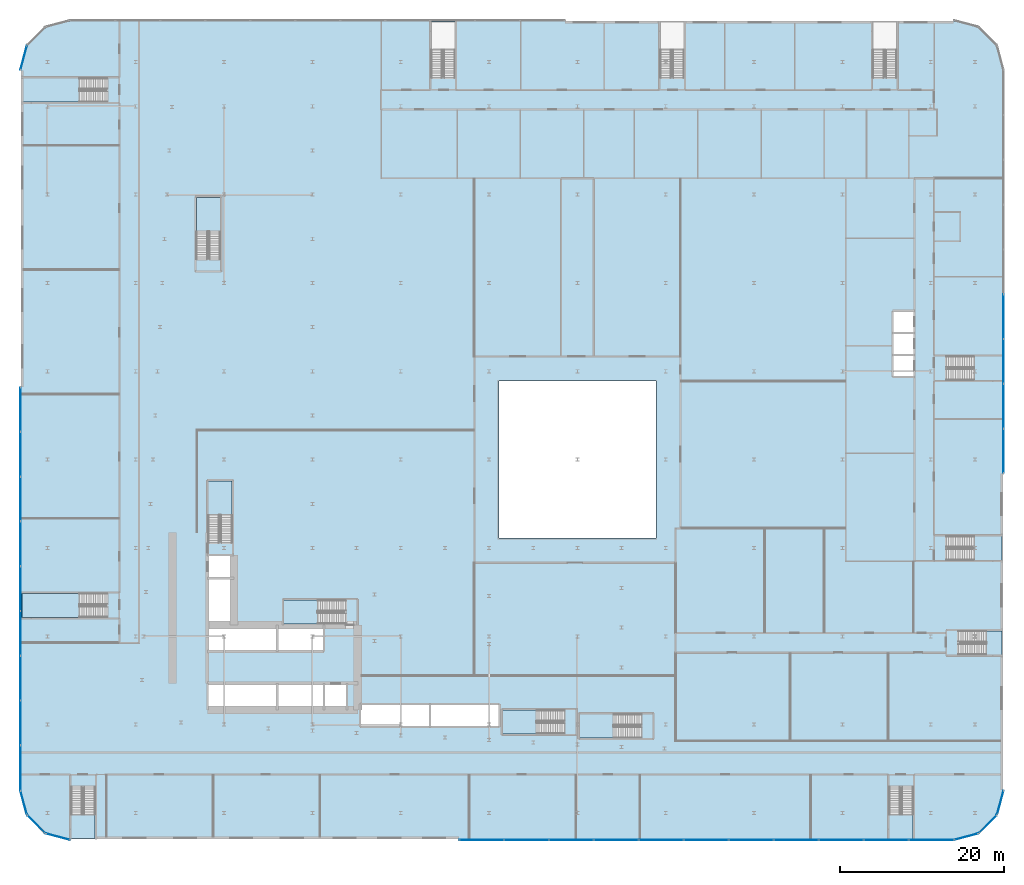
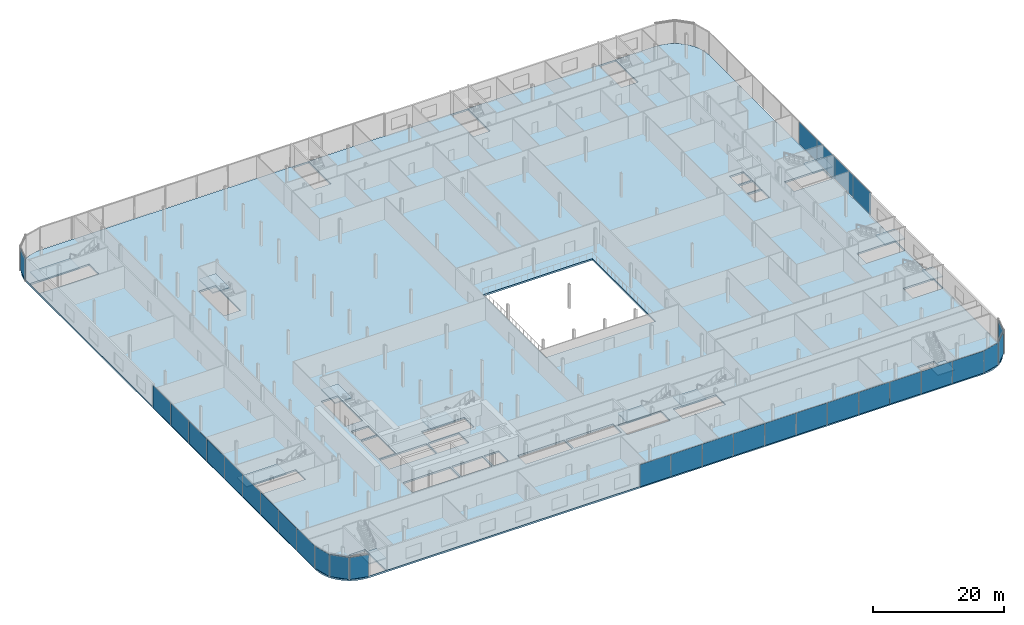
# One storey, part 24 of 47: 31 plates, 13 slabs, 22 elements without a shape of their own.
"""IFC4 building model written with IfcOpenShell, lengths in metres."""

from ifc_helpers import new_model, si_unit, direction, frame, origin, origin_2d, place, context, subcontext, project, spatial, polyline, rectangle, outline, extrude, material, layer, layer_set, type_object, element, aggregate, save


model = new_model("IFC4")

# Units and contexts
model_context = context("Model", 3, precision=1e-05, world=origin(), true_north=direction((0.0, 1.0)))
body_context = subcontext(model_context, "Body", "Model", "MODEL_VIEW")
ifc_project = project(units=[si_unit("LENGTHUNIT", "METRE"), si_unit("AREAUNIT", "SQUARE_METRE"), si_unit("VOLUMEUNIT", "CUBIC_METRE"), si_unit("PLANEANGLEUNIT", "RADIAN"), si_unit("MASSUNIT", "GRAM", prefix="KILO")], contexts=[model_context])

# Site, building, storey
site_placement = place(None, origin())
site = spatial("IfcSite", under=ifc_project, at=site_placement, CompositionType="ELEMENT")
building_placement = place(site_placement, origin())
building = spatial("IfcBuilding", under=site, at=building_placement, Name="Kheshtan School and Residences Tower", CompositionType="ELEMENT")
storey_placement = place(building_placement, frame((0.0, 0.0, 17.0)))
storey = spatial("IfcBuildingStorey", under=building, at=storey_placement, Name="L03", CompositionType="ELEMENT", Elevation=17.0)

# Curtain wall, plate
ifc_material_1 = material(Name="Clear low-e glass in thermally broken aluminium frame", Category="aluminium")
ifc_layer_1 = layer(ifc_material_1, 0.22509765625)
ifc_layer_set_1 = layer_set([ifc_layer_1], Name="Curtain wall CW-P")
curtain_wall_type = type_object("IfcCurtainWallType", Name="Curtain wall CW-P", PredefinedType="NOTDEFINED", material=ifc_layer_set_1)
curtain_wall_1_placement = place(storey_placement, origin())
curtain_wall_1 = element("IfcCurtainWall", 1, at=curtain_wall_1_placement, inside=storey, type_object=curtain_wall_type, Name="Curtain wall CWP1a", PredefinedType="NOTDEFINED")
ifc_layer_2 = layer(ifc_material_1, 0.035888671875)
ifc_layer_set_2 = layer_set([ifc_layer_2], Name="CW-P glass panel")
plate_type = type_object("IfcPlateType", Name="CW-P glass panel", PredefinedType="CURTAIN_PANEL", material=ifc_layer_set_2)
plate_1_placement = place(storey_placement, frame((12.305419921875, 105.52587890625, 0.0), z_axis=(0.0, 0.0, 1.0), x_axis=(0.258864833085, 0.965913556273, 0.0)))
plate_1 = element("IfcPlate", 2, at=plate_1_placement, type_object=plate_type, Name="CWP1a panel 1.1", PredefinedType="CURTAIN_PANEL", context=body_context, shape_type="SweptSolid", body=[
    extrude(rectangle(XDim=2.98583984375, YDim=0.035888671875, at=origin_2d()), origin(), (0.0, 0.0, 1.0), 4.110107421875),
])
aggregate(curtain_wall_1, [plate_1])

# Curtain wall, plates
curtain_wall_2_placement = place(storey_placement, origin())
curtain_wall_2 = element("IfcCurtainWall", 3, at=curtain_wall_2_placement, inside=storey, type_object=curtain_wall_type, Name="Curtain wall CWP8a", PredefinedType="NOTDEFINED")
plate_2_placement = place(storey_placement, frame((132.10009765625, 73.884521484375, 0.0), z_axis=(0.0, 0.0, 1.0), x_axis=(0.0, -1.0, 0.0)))
plate_2 = element("IfcPlate", 4, at=plate_2_placement, type_object=plate_type, Name="CWP8a panel 6.1", PredefinedType="CURTAIN_PANEL", context=body_context, shape_type="SweptSolid", body=[
    extrude(rectangle(XDim=5.41552734375, YDim=0.035888671875, at=origin_2d()), origin(), (0.0, 0.0, 1.0), 4.110107421875),
])
plate_3_placement = place(storey_placement, frame((132.10009765625, 68.408935546875, 0.0), z_axis=(0.0, 0.0, 1.0), x_axis=(0.0, -1.0, 0.0)))
plate_3 = element("IfcPlate", 5, at=plate_3_placement, type_object=plate_type, Name="CWP8a panel 7.1", PredefinedType="CURTAIN_PANEL", context=body_context, shape_type="SweptSolid", body=[
    extrude(rectangle(XDim=5.41552734375, YDim=0.035888671875, at=origin_2d()), origin(), (0.0, 0.0, 1.0), 4.110107421875),
])
plate_4_placement = place(storey_placement, frame((132.10009765625, 62.933349609375, 0.0), z_axis=(0.0, 0.0, 1.0), x_axis=(0.0, -1.0, 0.0)))
plate_4 = element("IfcPlate", 6, at=plate_4_placement, type_object=plate_type, Name="CWP8a panel 8.1", PredefinedType="CURTAIN_PANEL", context=body_context, shape_type="SweptSolid", body=[
    extrude(rectangle(XDim=5.41552734375, YDim=0.035888671875, at=origin_2d()), origin(), (0.0, 0.0, 1.0), 4.110107421875),
])
plate_5_placement = place(storey_placement, frame((132.10009765625, 57.47265625, 0.0), z_axis=(0.0, 0.0, 1.0), x_axis=(0.0, -1.0, 0.0)))
plate_5 = element("IfcPlate", 7, at=plate_5_placement, type_object=plate_type, Name="CWP8a panel 9.1", PredefinedType="CURTAIN_PANEL", context=body_context, shape_type="SweptSolid", body=[
    extrude(rectangle(XDim=5.385498046875, YDim=0.035888671875, at=origin_2d()), origin(), (0.0, 0.0, 1.0), 4.110107421875),
])
aggregate(curtain_wall_2, [plate_2, plate_3, plate_4, plate_5])

# Curtain wall, plate
curtain_wall_3_placement = place(storey_placement, origin())
curtain_wall_3 = element("IfcCurtainWall", 8, at=curtain_wall_3_placement, inside=storey, type_object=curtain_wall_type, Name="Curtain wall CWP9a", PredefinedType="NOTDEFINED")
plate_6_placement = place(storey_placement, frame((131.694580078125, 14.47412109375, 0.0), z_axis=(0.0, 0.0, 1.0), x_axis=(-0.258864833085, -0.965913556273, 0.0)))
plate_6 = element("IfcPlate", 9, at=plate_6_placement, type_object=plate_type, Name="CWP9a panel 1.1", PredefinedType="CURTAIN_PANEL", context=body_context, shape_type="SweptSolid", body=[
    extrude(rectangle(XDim=2.98583984375, YDim=0.035888671875, at=origin_2d()), origin(), (0.0, 0.0, 1.0), 4.110107421875),
])
aggregate(curtain_wall_3, [plate_6])

curtain_wall_4_placement = place(storey_placement, origin())
curtain_wall_4 = element("IfcCurtainWall", 10, at=curtain_wall_4_placement, inside=storey, type_object=curtain_wall_type, Name="Curtain wall CWP10a", PredefinedType="NOTDEFINED")
plate_7_placement = place(storey_placement, frame((130.168701171875, 11.831298828125, 0.0), z_axis=(0.0, 0.0, 1.0), x_axis=(-0.707106781187, -0.707106781187, 0.0)))
plate_7 = element("IfcPlate", 11, at=plate_7_placement, type_object=plate_type, Name="CWP10a panel 1.1", PredefinedType="CURTAIN_PANEL", context=body_context, shape_type="SweptSolid", body=[
    extrude(rectangle(XDim=2.985595703125, YDim=0.035888671875, at=origin_2d()), origin(), (0.0, 0.0, 1.0), 4.110107421875),
])
aggregate(curtain_wall_4, [plate_7])

curtain_wall_5_placement = place(storey_placement, origin())
curtain_wall_5 = element("IfcCurtainWall", 12, at=curtain_wall_5_placement, inside=storey, type_object=curtain_wall_type, Name="Curtain wall CWP11a", PredefinedType="NOTDEFINED")
plate_8_placement = place(storey_placement, frame((127.52587890625, 10.305419921875, 0.0), z_axis=(0.0, 0.0, 1.0), x_axis=(-0.965913556273, -0.258864833085, 0.0)))
plate_8 = element("IfcPlate", 13, at=plate_8_placement, type_object=plate_type, Name="CWP11a panel 1.1", PredefinedType="CURTAIN_PANEL", context=body_context, shape_type="SweptSolid", body=[
    extrude(rectangle(XDim=2.98583984375, YDim=0.035888671875, at=origin_2d()), origin(), (0.0, 0.0, 1.0), 4.110107421875),
])
aggregate(curtain_wall_5, [plate_8])

# Curtain wall, plates
curtain_wall_6_placement = place(storey_placement, origin())
curtain_wall_6 = element("IfcCurtainWall", 14, at=curtain_wall_6_placement, inside=storey, type_object=curtain_wall_type, Name="Curtain wall CWP12a", PredefinedType="NOTDEFINED")
plate_9_placement = place(storey_placement, frame((123.2783203125, 9.89990234375, 0.0), z_axis=(0.0, 0.0, 1.0), x_axis=(-1.0, 0.0, 0.0)))
plate_9 = element("IfcPlate", 15, at=plate_9_placement, type_object=plate_type, Name="CWP12a panel 1.1", PredefinedType="CURTAIN_PANEL", context=body_context, shape_type="SweptSolid", body=[
    extrude(rectangle(XDim=5.4931640625, YDim=0.035888671875, at=origin_2d()), origin(), (0.0, 0.0, 1.0), 4.110107421875),
])
plate_10_placement = place(storey_placement, frame((117.752685546875, 9.89990234375, 0.0), z_axis=(0.0, 0.0, 1.0), x_axis=(-1.0, 0.0, 0.0)))
plate_10 = element("IfcPlate", 16, at=plate_10_placement, type_object=plate_type, Name="CWP12a panel 2.1", PredefinedType="CURTAIN_PANEL", context=body_context, shape_type="SweptSolid", body=[
    extrude(rectangle(XDim=5.438232421875, YDim=0.035888671875, at=origin_2d()), origin(), (0.0, 0.0, 1.0), 4.110107421875),
])
plate_11_placement = place(storey_placement, frame((112.254638671875, 9.89990234375, 0.0), z_axis=(0.0, 0.0, 1.0), x_axis=(-1.0, 0.0, 0.0)))
plate_11 = element("IfcPlate", 17, at=plate_11_placement, type_object=plate_type, Name="CWP12a panel 3.1", PredefinedType="CURTAIN_PANEL", context=body_context, shape_type="SweptSolid", body=[
    extrude(rectangle(XDim=5.438232421875, YDim=0.035888671875, at=origin_2d()), origin(), (0.0, 0.0, 1.0), 4.110107421875),
])
plate_12_placement = place(storey_placement, frame((106.75634765625, 9.89990234375, 0.0), z_axis=(0.0, 0.0, 1.0), x_axis=(-1.0, 0.0, 0.0)))
plate_12 = element("IfcPlate", 18, at=plate_12_placement, type_object=plate_type, Name="CWP12a panel 4.1", PredefinedType="CURTAIN_PANEL", context=body_context, shape_type="SweptSolid", body=[
    extrude(rectangle(XDim=5.438232421875, YDim=0.035888671875, at=origin_2d()), origin(), (0.0, 0.0, 1.0), 4.110107421875),
])
plate_13_placement = place(storey_placement, frame((101.25830078125, 9.89990234375, 0.0), z_axis=(0.0, 0.0, 1.0), x_axis=(-1.0, 0.0, 0.0)))
plate_13 = element("IfcPlate", 19, at=plate_13_placement, type_object=plate_type, Name="CWP12a panel 5.1", PredefinedType="CURTAIN_PANEL", context=body_context, shape_type="SweptSolid", body=[
    extrude(rectangle(XDim=5.438232421875, YDim=0.035888671875, at=origin_2d()), origin(), (0.0, 0.0, 1.0), 4.110107421875),
])
plate_14_placement = place(storey_placement, frame((95.760009765625, 9.89990234375, 0.0), z_axis=(0.0, 0.0, 1.0), x_axis=(-1.0, 0.0, 0.0)))
plate_14 = element("IfcPlate", 20, at=plate_14_placement, type_object=plate_type, Name="CWP12a panel 6.1", PredefinedType="CURTAIN_PANEL", context=body_context, shape_type="SweptSolid", body=[
    extrude(rectangle(XDim=5.438232421875, YDim=0.035888671875, at=origin_2d()), origin(), (0.0, 0.0, 1.0), 4.110107421875),
])
plate_15_placement = place(storey_placement, frame((90.26171875, 9.89990234375, 0.0), z_axis=(0.0, 0.0, 1.0), x_axis=(-1.0, 0.0, 0.0)))
plate_15 = element("IfcPlate", 21, at=plate_15_placement, type_object=plate_type, Name="CWP12a panel 7.1", PredefinedType="CURTAIN_PANEL", context=body_context, shape_type="SweptSolid", body=[
    extrude(rectangle(XDim=5.438232421875, YDim=0.035888671875, at=origin_2d()), origin(), (0.0, 0.0, 1.0), 4.110107421875),
])
plate_16_placement = place(storey_placement, frame((84.763671875, 9.89990234375, 0.0), z_axis=(0.0, 0.0, 1.0), x_axis=(-1.0, 0.0, 0.0)))
plate_16 = element("IfcPlate", 22, at=plate_16_placement, type_object=plate_type, Name="CWP12a panel 8.1", PredefinedType="CURTAIN_PANEL", context=body_context, shape_type="SweptSolid", body=[
    extrude(rectangle(XDim=5.438232421875, YDim=0.035888671875, at=origin_2d()), origin(), (0.0, 0.0, 1.0), 4.110107421875),
])
plate_17_placement = place(storey_placement, frame((79.265380859375, 9.89990234375, 0.0), z_axis=(0.0, 0.0, 1.0), x_axis=(-1.0, 0.0, 0.0)))
plate_17 = element("IfcPlate", 23, at=plate_17_placement, type_object=plate_type, Name="CWP12a panel 9.1", PredefinedType="CURTAIN_PANEL", context=body_context, shape_type="SweptSolid", body=[
    extrude(rectangle(XDim=5.438232421875, YDim=0.035888671875, at=origin_2d()), origin(), (0.0, 0.0, 1.0), 4.110107421875),
])
plate_18_placement = place(storey_placement, frame((73.767333984375, 9.89990234375, 0.0), z_axis=(0.0, 0.0, 1.0), x_axis=(-1.0, 0.0, 0.0)))
plate_18 = element("IfcPlate", 24, at=plate_18_placement, type_object=plate_type, Name="CWP12a panel 10.1", PredefinedType="CURTAIN_PANEL", context=body_context, shape_type="SweptSolid", body=[
    extrude(rectangle(XDim=5.438232421875, YDim=0.035888671875, at=origin_2d()), origin(), (0.0, 0.0, 1.0), 4.110107421875),
])
plate_19_placement = place(storey_placement, frame((68.2841796875, 9.89990234375, 0.0), z_axis=(0.0, 0.0, 1.0), x_axis=(-1.0, 0.0, 0.0)))
plate_19 = element("IfcPlate", 25, at=plate_19_placement, type_object=plate_type, Name="CWP12a panel 11.1", PredefinedType="CURTAIN_PANEL", context=body_context, shape_type="SweptSolid", body=[
    extrude(rectangle(XDim=5.408203125, YDim=0.035888671875, at=origin_2d()), origin(), (0.0, 0.0, 1.0), 4.110107421875),
])
aggregate(curtain_wall_6, [plate_9, plate_10, plate_11, plate_12, plate_13, plate_14, plate_15, plate_16, plate_17, plate_18, plate_19])

# Curtain wall, plate
curtain_wall_7_placement = place(storey_placement, origin())
curtain_wall_7 = element("IfcCurtainWall", 26, at=curtain_wall_7_placement, inside=storey, type_object=curtain_wall_type, Name="Curtain wall CWP13a", PredefinedType="NOTDEFINED")
plate_20_placement = place(storey_placement, frame((16.47412109375, 10.305419921875, 0.0), z_axis=(0.0, 0.0, 1.0), x_axis=(-0.965913556273, 0.258864833085, 0.0)))
plate_20 = element("IfcPlate", 27, at=plate_20_placement, type_object=plate_type, Name="CWP13a panel 1.1", PredefinedType="CURTAIN_PANEL", context=body_context, shape_type="SweptSolid", body=[
    extrude(rectangle(XDim=2.98583984375, YDim=0.035888671875, at=origin_2d()), origin(), (0.0, 0.0, 1.0), 4.110107421875),
])
aggregate(curtain_wall_7, [plate_20])

curtain_wall_8_placement = place(storey_placement, origin())
curtain_wall_8 = element("IfcCurtainWall", 28, at=curtain_wall_8_placement, inside=storey, type_object=curtain_wall_type, Name="Curtain wall CWP14a", PredefinedType="NOTDEFINED")
plate_21_placement = place(storey_placement, frame((13.831298828125, 11.831298828125, 0.0), z_axis=(0.0, 0.0, 1.0), x_axis=(-0.707106781187, 0.707106781187, 0.0)))
plate_21 = element("IfcPlate", 29, at=plate_21_placement, type_object=plate_type, Name="CWP14a panel 1.1", PredefinedType="CURTAIN_PANEL", context=body_context, shape_type="SweptSolid", body=[
    extrude(rectangle(XDim=2.985595703125, YDim=0.035888671875, at=origin_2d()), origin(), (0.0, 0.0, 1.0), 4.110107421875),
])
aggregate(curtain_wall_8, [plate_21])

curtain_wall_9_placement = place(storey_placement, origin())
curtain_wall_9 = element("IfcCurtainWall", 30, at=curtain_wall_9_placement, inside=storey, type_object=curtain_wall_type, Name="Curtain wall CWP15a", PredefinedType="NOTDEFINED")
plate_22_placement = place(storey_placement, frame((12.305419921875, 14.47412109375, 0.0), z_axis=(0.0, 0.0, 1.0), x_axis=(-0.258864833085, 0.965913556273, 0.0)))
plate_22 = element("IfcPlate", 31, at=plate_22_placement, type_object=plate_type, Name="CWP15a panel 1.1", PredefinedType="CURTAIN_PANEL", context=body_context, shape_type="SweptSolid", body=[
    extrude(rectangle(XDim=2.98583984375, YDim=0.035888671875, at=origin_2d()), origin(), (0.0, 0.0, 1.0), 4.110107421875),
])
aggregate(curtain_wall_9, [plate_22])

# Curtain wall, plates
curtain_wall_10_placement = place(storey_placement, origin())
curtain_wall_10 = element("IfcCurtainWall", 32, at=curtain_wall_10_placement, inside=storey, type_object=curtain_wall_type, Name="Curtain wall CWP16a", PredefinedType="NOTDEFINED")
plate_23_placement = place(storey_placement, frame((11.89990234375, 18.71044921875, 0.0), z_axis=(0.0, 0.0, 1.0), x_axis=(0.0, 1.0, 0.0)))
plate_23 = element("IfcPlate", 33, at=plate_23_placement, type_object=plate_type, Name="CWP16a panel 1.1", PredefinedType="CURTAIN_PANEL", context=body_context, shape_type="SweptSolid", body=[
    extrude(rectangle(XDim=5.470458984375, YDim=0.035888671875, at=origin_2d()), origin(), (0.0, 0.0, 1.0), 4.110107421875),
])
plate_24_placement = place(storey_placement, frame((11.89990234375, 24.21337890625, 0.0), z_axis=(0.0, 0.0, 1.0), x_axis=(0.0, 1.0, 0.0)))
plate_24 = element("IfcPlate", 34, at=plate_24_placement, type_object=plate_type, Name="CWP16a panel 2.1", PredefinedType="CURTAIN_PANEL", context=body_context, shape_type="SweptSolid", body=[
    extrude(rectangle(XDim=5.41552734375, YDim=0.035888671875, at=origin_2d()), origin(), (0.0, 0.0, 1.0), 4.110107421875),
])
plate_25_placement = place(storey_placement, frame((11.89990234375, 29.68896484375, 0.0), z_axis=(0.0, 0.0, 1.0), x_axis=(0.0, 1.0, 0.0)))
plate_25 = element("IfcPlate", 35, at=plate_25_placement, type_object=plate_type, Name="CWP16a panel 3.1", PredefinedType="CURTAIN_PANEL", context=body_context, shape_type="SweptSolid", body=[
    extrude(rectangle(XDim=5.41552734375, YDim=0.035888671875, at=origin_2d()), origin(), (0.0, 0.0, 1.0), 4.110107421875),
])
plate_26_placement = place(storey_placement, frame((11.89990234375, 35.16455078125, 0.0), z_axis=(0.0, 0.0, 1.0), x_axis=(0.0, 1.0, 0.0)))
plate_26 = element("IfcPlate", 36, at=plate_26_placement, type_object=plate_type, Name="CWP16a panel 4.1", PredefinedType="CURTAIN_PANEL", context=body_context, shape_type="SweptSolid", body=[
    extrude(rectangle(XDim=5.41552734375, YDim=0.035888671875, at=origin_2d()), origin(), (0.0, 0.0, 1.0), 4.110107421875),
])
plate_27_placement = place(storey_placement, frame((11.89990234375, 40.639892578125, 0.0), z_axis=(0.0, 0.0, 1.0), x_axis=(0.0, 1.0, 0.0)))
plate_27 = element("IfcPlate", 37, at=plate_27_placement, type_object=plate_type, Name="CWP16a panel 5.1", PredefinedType="CURTAIN_PANEL", context=body_context, shape_type="SweptSolid", body=[
    extrude(rectangle(XDim=5.41552734375, YDim=0.035888671875, at=origin_2d()), origin(), (0.0, 0.0, 1.0), 4.110107421875),
])
plate_28_placement = place(storey_placement, frame((11.89990234375, 46.115478515625, 0.0), z_axis=(0.0, 0.0, 1.0), x_axis=(0.0, 1.0, 0.0)))
plate_28 = element("IfcPlate", 38, at=plate_28_placement, type_object=plate_type, Name="CWP16a panel 6.1", PredefinedType="CURTAIN_PANEL", context=body_context, shape_type="SweptSolid", body=[
    extrude(rectangle(XDim=5.41552734375, YDim=0.035888671875, at=origin_2d()), origin(), (0.0, 0.0, 1.0), 4.110107421875),
])
plate_29_placement = place(storey_placement, frame((11.89990234375, 51.591064453125, 0.0), z_axis=(0.0, 0.0, 1.0), x_axis=(0.0, 1.0, 0.0)))
plate_29 = element("IfcPlate", 39, at=plate_29_placement, type_object=plate_type, Name="CWP16a panel 7.1", PredefinedType="CURTAIN_PANEL", context=body_context, shape_type="SweptSolid", body=[
    extrude(rectangle(XDim=5.41552734375, YDim=0.035888671875, at=origin_2d()), origin(), (0.0, 0.0, 1.0), 4.110107421875),
])
plate_30_placement = place(storey_placement, frame((11.89990234375, 57.066650390625, 0.0), z_axis=(0.0, 0.0, 1.0), x_axis=(0.0, 1.0, 0.0)))
plate_30 = element("IfcPlate", 40, at=plate_30_placement, type_object=plate_type, Name="CWP16a panel 8.1", PredefinedType="CURTAIN_PANEL", context=body_context, shape_type="SweptSolid", body=[
    extrude(rectangle(XDim=5.41552734375, YDim=0.035888671875, at=origin_2d()), origin(), (0.0, 0.0, 1.0), 4.110107421875),
])
plate_31_placement = place(storey_placement, frame((11.89990234375, 62.52734375, 0.0), z_axis=(0.0, 0.0, 1.0), x_axis=(0.0, 1.0, 0.0)))
plate_31 = element("IfcPlate", 41, at=plate_31_placement, type_object=plate_type, Name="CWP16a panel 9.1", PredefinedType="CURTAIN_PANEL", context=body_context, shape_type="SweptSolid", body=[
    extrude(rectangle(XDim=5.385498046875, YDim=0.035888671875, at=origin_2d()), origin(), (0.0, 0.0, 1.0), 4.110107421875),
])
aggregate(curtain_wall_10, [plate_23, plate_24, plate_25, plate_26, plate_27, plate_28, plate_29, plate_30, plate_31])

# Slab
ifc_material_2 = material(Name="Concrete C40/50", Category="concrete")
ifc_layer_3 = layer(ifc_material_2, 0.320068359375)
ifc_layer_set_3 = layer_set([ifc_layer_3], Name="Floor slab 320 Concrete C40/50")
slab_type_1 = type_object("IfcSlabType", Name="Floor slab 320 Concrete C40/50", PredefinedType="FLOOR", material=ifc_layer_set_3)
slab_1_placement = place(storey_placement, frame((0.0, 0.0, -0.320068359375)))
element("IfcSlab", 42, at=slab_1_placement, inside=storey, type_object=slab_type_1, Name="Floor slab L03", PredefinedType="FLOOR", context=body_context, shape_type="SweptSolid", body=[
    extrude(outline(polyline([(131.196044921875, 107.0), (131.637939453125, 106.052001953125), (131.908935546875, 105.0419921875), (132.0, 104.0), (132.0, 16.0), (131.908935546875, 14.9580078125), (131.637939453125, 13.947998046875), (131.196044921875, 13.0), (130.595947265625, 12.14306640625), (129.85693359375, 11.404052734375), (129.0, 10.803955078125), (128.052001953125, 10.362060546875), (127.0419921875, 10.091064453125), (126.0, 10.0), (18.0, 10.0), (16.9580078125, 10.091064453125), (15.947998046875, 10.362060546875), (15.0, 10.803955078125), (14.14306640625, 11.404052734375), (13.404052734375, 12.14306640625), (12.803955078125, 13.0), (12.362060546875, 13.947998046875), (12.091064453125, 14.9580078125), (12.0, 16.0), (12.0, 104.0), (12.091064453125, 105.0419921875), (12.362060546875, 106.052001953125), (12.803955078125, 107.0), (13.404052734375, 107.85693359375), (14.14306640625, 108.595947265625), (15.0, 109.196044921875), (15.947998046875, 109.637939453125), (16.9580078125, 109.908935546875), (18.0, 110.0), (126.0, 110.0), (127.0419921875, 109.908935546875), (128.052001953125, 109.637939453125), (129.0, 109.196044921875), (129.85693359375, 108.595947265625), (130.595947265625, 107.85693359375), (131.196044921875, 107.0)]), holes=[polyline([(21.050048828125, 10.10009765625), (21.050048828125, 16.389892578125), (19.64990234375, 16.389892578125), (19.64990234375, 16.39990234375), (18.10009765625, 16.39990234375), (18.10009765625, 10.10009765625), (21.050048828125, 10.10009765625)]), polyline([(53.52490234375, 26.425048828125), (53.52490234375, 23.824951171875), (61.824951171875, 23.824951171875), (61.824951171875, 26.425048828125), (53.52490234375, 26.425048828125)]), polyline([(34.875, 28.925048828125), (34.875, 25.925048828125), (43.175048828125, 25.925048828125), (43.175048828125, 28.925048828125), (34.875, 28.925048828125)]), polyline([(48.875, 25.925048828125), (48.875, 28.925048828125), (43.425048828125, 28.925048828125), (43.425048828125, 25.925048828125), (48.875, 25.925048828125)]), polyline([(49.125, 25.925048828125), (51.72509765625, 25.925048828125), (51.72509765625, 28.925048828125), (49.125, 28.925048828125), (49.125, 25.925048828125)]), polyline([(34.875, 36.074951171875), (34.875, 33.074951171875), (43.175048828125, 33.074951171875), (43.175048828125, 36.074951171875), (34.875, 36.074951171875)]), polyline([(48.875, 33.074951171875), (48.875, 36.074951171875), (43.425048828125, 36.074951171875), (43.425048828125, 33.074951171875), (48.875, 33.074951171875)]), polyline([(51.639892578125, 37.699951171875), (51.64990234375, 37.699951171875), (51.64990234375, 39.25), (44.090087890625, 39.25), (44.090087890625, 36.300048828125), (51.639892578125, 36.300048828125), (51.639892578125, 37.699951171875)]), polyline([(22.5, 38.5), (22.5, 40.050048828125), (12.10009765625, 40.050048828125), (12.10009765625, 37.10009765625), (22.489990234375, 37.10009765625), (22.489990234375, 38.5), (22.5, 38.5)]), polyline([(34.875, 36.324951171875), (37.875, 36.324951171875), (37.875, 41.77490234375), (34.875, 41.77490234375), (34.875, 36.324951171875)]), polyline([(34.875, 42.02490234375), (37.875, 42.02490234375), (37.875, 44.625), (34.875, 44.625), (34.875, 42.02490234375)]), polyline([(34.85009765625, 46.260009765625), (36.25, 46.260009765625), (36.25, 46.25), (37.800048828125, 46.25), (37.800048828125, 53.81005859375), (34.85009765625, 53.81005859375), (34.85009765625, 46.260009765625)]), polyline([(33.39990234375, 80.909912109375), (34.800048828125, 80.909912109375), (34.800048828125, 80.89990234375), (36.35009765625, 80.89990234375), (36.35009765625, 88.4599609375), (33.39990234375, 88.4599609375), (33.39990234375, 80.909912109375)]), polyline([(22.5, 101.5), (22.5, 103.050048828125), (12.10009765625, 103.050048828125), (12.10009765625, 100.10009765625), (22.489990234375, 100.10009765625), (22.489990234375, 101.5), (22.5, 101.5)]), polyline([(119.64990234375, 16.389892578125), (119.64990234375, 16.39990234375), (118.10009765625, 16.39990234375), (118.10009765625, 10.10009765625), (121.050048828125, 10.10009765625), (121.050048828125, 16.389892578125), (119.64990234375, 16.389892578125)]), polyline([(87.820068359375, 23.75), (87.820068359375, 25.300048828125), (80.260009765625, 25.300048828125), (80.260009765625, 22.35009765625), (87.81005859375, 22.35009765625), (87.81005859375, 23.75), (87.820068359375, 23.75)]), polyline([(78.409912109375, 24.25), (78.409912109375, 25.800048828125), (70.85009765625, 25.800048828125), (70.85009765625, 22.85009765625), (78.39990234375, 22.85009765625), (78.39990234375, 24.25), (78.409912109375, 24.25)]), polyline([(70.375, 23.824951171875), (70.375, 26.425048828125), (62.074951171875, 26.425048828125), (62.074951171875, 23.824951171875), (70.375, 23.824951171875)]), polyline([(126.590087890625, 35.47509765625), (126.590087890625, 34.074951171875), (126.580078125, 34.074951171875), (126.580078125, 32.52490234375), (131.89990234375, 32.52490234375), (131.89990234375, 35.47509765625), (126.590087890625, 35.47509765625)]), polyline([(125.110107421875, 47.050048828125), (125.110107421875, 45.64990234375), (125.10009765625, 45.64990234375), (125.10009765625, 44.10009765625), (131.89990234375, 44.10009765625), (131.89990234375, 47.050048828125), (125.110107421875, 47.050048828125)]), polyline([(70.39990234375, 46.800048828125), (89.60009765625, 46.800048828125), (89.60009765625, 66.0), (70.39990234375, 66.0), (70.39990234375, 46.800048828125)]), polyline([(125.110107421875, 67.64990234375), (125.10009765625, 67.64990234375), (125.10009765625, 66.10009765625), (131.89990234375, 66.10009765625), (131.89990234375, 69.050048828125), (125.110107421875, 69.050048828125), (125.110107421875, 67.64990234375)]), polyline([(118.625, 66.625), (121.074951171875, 66.625), (121.074951171875, 69.074951171875), (118.625, 69.074951171875), (118.625, 66.625)]), polyline([(118.625, 69.324951171875), (121.074951171875, 69.324951171875), (121.074951171875, 71.77490234375), (118.625, 71.77490234375), (118.625, 69.324951171875)]), polyline([(118.625, 72.02490234375), (121.074951171875, 72.02490234375), (121.074951171875, 74.47509765625), (118.625, 74.47509765625), (118.625, 72.02490234375)]), polyline([(65.050048828125, 109.89990234375), (62.10009765625, 109.89990234375), (62.10009765625, 103.110107421875), (63.5, 103.110107421875), (63.5, 103.10009765625), (65.050048828125, 103.10009765625), (65.050048828125, 109.89990234375)]), polyline([(93.050048828125, 109.89990234375), (90.10009765625, 109.89990234375), (90.10009765625, 103.110107421875), (91.5, 103.110107421875), (91.5, 103.10009765625), (93.050048828125, 103.10009765625), (93.050048828125, 109.89990234375)]), polyline([(119.050048828125, 109.89990234375), (116.10009765625, 109.89990234375), (116.10009765625, 103.110107421875), (117.5, 103.110107421875), (117.5, 103.10009765625), (119.050048828125, 103.10009765625), (119.050048828125, 109.89990234375)])]), origin(), (0.0, 0.0, 1.0), 0.320068359375),
])

# Stair, slab
stair_type = type_object("IfcStairType", Name="Exit stair, half-turn", PredefinedType="HALF_TURN_STAIR", material=ifc_material_2)
stair_1_placement = place(storey_placement, origin())
stair_1 = element("IfcStair", 43, at=stair_1_placement, inside=storey, type_object=stair_type, Name="L03 Protected Exit Stair ST1", PredefinedType="HALF_TURN_STAIR")
ifc_layer_4 = layer(ifc_material_2, 0.199951171875)
ifc_layer_set_4 = layer_set([ifc_layer_4], Name="Stair landing 200 Concrete C40/50")
slab_type_2 = type_object("IfcSlabType", Name="Stair landing 200 Concrete C40/50", PredefinedType="LANDING", material=ifc_layer_set_4)
slab_2_placement = place(storey_placement, frame((0.0, 0.0, 2.050048828125)))
slab_2 = element("IfcSlab", 44, at=slab_2_placement, type_object=slab_type_2, Name="ST1 landing 1", PredefinedType="LANDING", context=body_context, shape_type="SweptSolid", body=[
    extrude(outline(polyline([(48.2900390625, 39.25), (44.090087890625, 39.25), (44.090087890625, 36.300048828125), (48.2900390625, 36.300048828125), (48.2900390625, 39.25)])), origin(), (0.0, 0.0, 1.0), 0.199951171875),
])
aggregate(stair_1, [slab_2])

stair_2_placement = place(storey_placement, origin())
stair_2 = element("IfcStair", 45, at=stair_2_placement, inside=storey, type_object=stair_type, Name="L03 Protected Exit Stair ST2", PredefinedType="HALF_TURN_STAIR")
slab_3_placement = place(storey_placement, frame((0.0, 0.0, 2.050048828125)))
slab_3 = element("IfcSlab", 46, at=slab_3_placement, type_object=slab_type_2, Name="ST2 landing 1", PredefinedType="LANDING", context=body_context, shape_type="SweptSolid", body=[
    extrude(outline(polyline([(37.800048828125, 49.610107421875), (37.800048828125, 53.81005859375), (34.85009765625, 53.81005859375), (34.85009765625, 49.610107421875), (37.800048828125, 49.610107421875)])), origin(), (0.0, 0.0, 1.0), 0.199951171875),
])
aggregate(stair_2, [slab_3])

stair_3_placement = place(storey_placement, origin())
stair_3 = element("IfcStair", 47, at=stair_3_placement, inside=storey, type_object=stair_type, Name="L03 Protected Exit Stair ST3", PredefinedType="HALF_TURN_STAIR")
slab_4_placement = place(storey_placement, frame((0.0, 0.0, 2.050048828125)))
slab_4 = element("IfcSlab", 48, at=slab_4_placement, type_object=slab_type_2, Name="ST3 landing 1", PredefinedType="LANDING", context=body_context, shape_type="SweptSolid", body=[
    extrude(outline(polyline([(36.35009765625, 84.260009765625), (36.35009765625, 88.4599609375), (33.39990234375, 88.4599609375), (33.39990234375, 84.260009765625), (36.35009765625, 84.260009765625)])), origin(), (0.0, 0.0, 1.0), 0.199951171875),
])
aggregate(stair_3, [slab_4])

stair_4_placement = place(storey_placement, origin())
stair_4 = element("IfcStair", 49, at=stair_4_placement, inside=storey, type_object=stair_type, Name="L03 Protected Exit Stair ST4", PredefinedType="HALF_TURN_STAIR")
slab_5_placement = place(storey_placement, frame((0.0, 0.0, 2.050048828125)))
slab_5 = element("IfcSlab", 50, at=slab_5_placement, type_object=slab_type_2, Name="ST4 landing 1", PredefinedType="LANDING", context=body_context, shape_type="SweptSolid", body=[
    extrude(outline(polyline([(84.4599609375, 25.300048828125), (80.260009765625, 25.300048828125), (80.260009765625, 22.35009765625), (84.4599609375, 22.35009765625), (84.4599609375, 25.300048828125)])), origin(), (0.0, 0.0, 1.0), 0.199951171875),
])
aggregate(stair_4, [slab_5])

stair_5_placement = place(storey_placement, origin())
stair_5 = element("IfcStair", 51, at=stair_5_placement, inside=storey, type_object=stair_type, Name="L03 Protected Exit Stair ST5", PredefinedType="HALF_TURN_STAIR")
slab_6_placement = place(storey_placement, frame((0.0, 0.0, 2.050048828125)))
slab_6 = element("IfcSlab", 52, at=slab_6_placement, type_object=slab_type_2, Name="ST5 landing 1", PredefinedType="LANDING", context=body_context, shape_type="SweptSolid", body=[
    extrude(outline(polyline([(75.050048828125, 25.800048828125), (70.85009765625, 25.800048828125), (70.85009765625, 22.85009765625), (75.050048828125, 22.85009765625), (75.050048828125, 25.800048828125)])), origin(), (0.0, 0.0, 1.0), 0.199951171875),
])
aggregate(stair_5, [slab_6])

stair_6_placement = place(storey_placement, origin())
stair_6 = element("IfcStair", 53, at=stair_6_placement, inside=storey, type_object=stair_type, Name="L03 Civic Exit Stair 012-037", PredefinedType="HALF_TURN_STAIR")
slab_7_placement = place(storey_placement, frame((0.0, 0.0, 2.050048828125)))
slab_7 = element("IfcSlab", 54, at=slab_7_placement, type_object=slab_type_2, Name="PS-012-037 landing 1", PredefinedType="LANDING", context=body_context, shape_type="SweptSolid", body=[
    extrude(outline(polyline([(19.139892578125, 40.050048828125), (12.10009765625, 40.050048828125), (12.10009765625, 37.10009765625), (19.139892578125, 37.10009765625), (19.139892578125, 40.050048828125)])), origin(), (0.0, 0.0, 1.0), 0.199951171875),
])
aggregate(stair_6, [slab_7])

stair_7_placement = place(storey_placement, origin())
stair_7 = element("IfcStair", 55, at=stair_7_placement, inside=storey, type_object=stair_type, Name="L03 Civic Exit Stair 012-100", PredefinedType="HALF_TURN_STAIR")
slab_8_placement = place(storey_placement, frame((0.0, 0.0, 2.050048828125)))
slab_8 = element("IfcSlab", 56, at=slab_8_placement, type_object=slab_type_2, Name="PS-012-100 landing 1", PredefinedType="LANDING", context=body_context, shape_type="SweptSolid", body=[
    extrude(outline(polyline([(19.139892578125, 103.050048828125), (12.10009765625, 103.050048828125), (12.10009765625, 100.10009765625), (19.139892578125, 100.10009765625), (19.139892578125, 103.050048828125)])), origin(), (0.0, 0.0, 1.0), 0.199951171875),
])
aggregate(stair_7, [slab_8])

stair_8_placement = place(storey_placement, origin())
stair_8 = element("IfcStair", 57, at=stair_8_placement, inside=storey, type_object=stair_type, Name="L03 Civic Exit Stair 018-010", PredefinedType="HALF_TURN_STAIR")
slab_9_placement = place(storey_placement, frame((0.0, 0.0, 2.050048828125)))
slab_9 = element("IfcSlab", 58, at=slab_9_placement, type_object=slab_type_2, Name="PS-018-010 landing 1", PredefinedType="LANDING", context=body_context, shape_type="SweptSolid", body=[
    extrude(outline(polyline([(18.10009765625, 13.0400390625), (18.10009765625, 10.10009765625), (21.050048828125, 10.10009765625), (21.050048828125, 13.0400390625), (18.10009765625, 13.0400390625)])), origin(), (0.0, 0.0, 1.0), 0.199951171875),
])
aggregate(stair_8, [slab_9])

stair_9_placement = place(storey_placement, origin())
stair_9 = element("IfcStair", 59, at=stair_9_placement, inside=storey, type_object=stair_type, Name="L03 Civic Exit Stair 118-010", PredefinedType="HALF_TURN_STAIR")
slab_10_placement = place(storey_placement, frame((0.0, 0.0, 2.050048828125)))
slab_10 = element("IfcSlab", 60, at=slab_10_placement, type_object=slab_type_2, Name="PS-118-010 landing 1", PredefinedType="LANDING", context=body_context, shape_type="SweptSolid", body=[
    extrude(outline(polyline([(118.10009765625, 13.0400390625), (118.10009765625, 10.10009765625), (121.050048828125, 10.10009765625), (121.050048828125, 13.0400390625), (118.10009765625, 13.0400390625)])), origin(), (0.0, 0.0, 1.0), 0.199951171875),
])
aggregate(stair_9, [slab_10])

stair_10_placement = place(storey_placement, origin())
stair_10 = element("IfcStair", 61, at=stair_10_placement, inside=storey, type_object=stair_type, Name="L03 School Exit Stair 124-044", PredefinedType="HALF_TURN_STAIR")
slab_11_placement = place(storey_placement, frame((0.0, 0.0, 2.050048828125)))
slab_11 = element("IfcSlab", 62, at=slab_11_placement, type_object=slab_type_2, Name="PS-124-044 landing 1", PredefinedType="LANDING", context=body_context, shape_type="SweptSolid", body=[
    extrude(outline(polyline([(128.4599609375, 44.10009765625), (131.89990234375, 44.10009765625), (131.89990234375, 47.050048828125), (128.4599609375, 47.050048828125), (128.4599609375, 44.10009765625)])), origin(), (0.0, 0.0, 1.0), 0.199951171875),
])
aggregate(stair_10, [slab_11])

stair_11_placement = place(storey_placement, origin())
stair_11 = element("IfcStair", 63, at=stair_11_placement, inside=storey, type_object=stair_type, Name="L03 School Exit Stair 124-066", PredefinedType="HALF_TURN_STAIR")
slab_12_placement = place(storey_placement, frame((0.0, 0.0, 2.050048828125)))
slab_12 = element("IfcSlab", 64, at=slab_12_placement, type_object=slab_type_2, Name="PS-124-066 landing 1", PredefinedType="LANDING", context=body_context, shape_type="SweptSolid", body=[
    extrude(outline(polyline([(128.4599609375, 66.10009765625), (131.89990234375, 66.10009765625), (131.89990234375, 69.050048828125), (128.4599609375, 69.050048828125), (128.4599609375, 66.10009765625)])), origin(), (0.0, 0.0, 1.0), 0.199951171875),
])
aggregate(stair_11, [slab_12])

stair_12_placement = place(storey_placement, origin())
stair_12 = element("IfcStair", 65, at=stair_12_placement, inside=storey, type_object=stair_type, Name="L03 Civic Exit Stair 125-032", PredefinedType="HALF_TURN_STAIR")
slab_13_placement = place(storey_placement, frame((0.0, 0.0, 2.050048828125)))
slab_13 = element("IfcSlab", 66, at=slab_13_placement, type_object=slab_type_2, Name="PS-125-032 landing 1", PredefinedType="LANDING", context=body_context, shape_type="SweptSolid", body=[
    extrude(outline(polyline([(129.93994140625, 32.52490234375), (131.89990234375, 32.52490234375), (131.89990234375, 35.47509765625), (129.93994140625, 35.47509765625), (129.93994140625, 32.52490234375)])), origin(), (0.0, 0.0, 1.0), 0.199951171875),
])
aggregate(stair_12, [slab_13])

save(model, "model.ifc")
